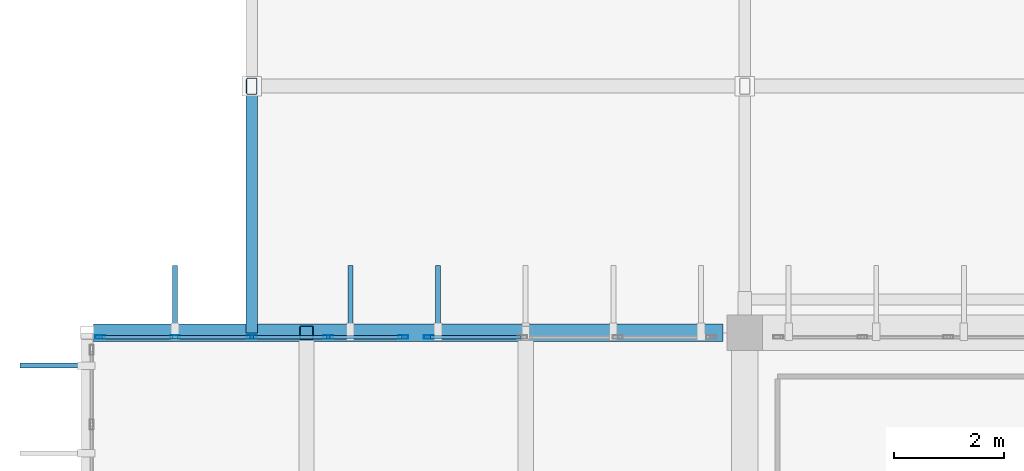
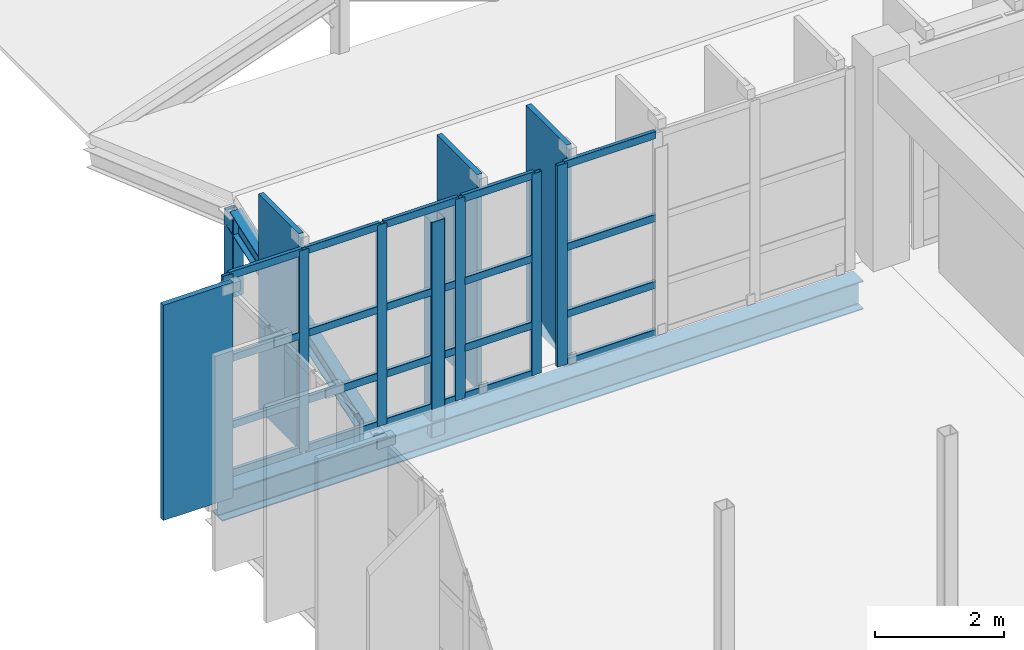
# One storey, part 35 of 80: 33 members, 1 beam, 2 elements without a shape of their own.
"""IFC4 building model written with IfcOpenShell, lengths in metres."""

from ifc_helpers import new_model, si_unit, direction, frame, origin, origin_2d, place, context, subcontext, project, spatial, rectangle, hollow_rectangle, i_section, extrude, material, material_profile, profile_set, type_object, element, aggregate, save


model = new_model("IFC4")

# Units and contexts
model_context = context("Model", 3, precision=1e-05, world=origin(), true_north=direction((0.0, 1.0)))
body_context = subcontext(model_context, "Body", "Model", "MODEL_VIEW")
ifc_project = project(units=[si_unit("LENGTHUNIT", "METRE"), si_unit("AREAUNIT", "SQUARE_METRE"), si_unit("VOLUMEUNIT", "CUBIC_METRE"), si_unit("PLANEANGLEUNIT", "RADIAN"), si_unit("MASSUNIT", "GRAM", prefix="KILO")], contexts=[model_context])

# Site, building, storey
site_placement = place(None, origin())
site = spatial("IfcSite", under=ifc_project, at=site_placement, CompositionType="ELEMENT")
building_placement = place(site_placement, origin())
building = spatial("IfcBuilding", under=site, at=building_placement, Name="Miravela Opera House", CompositionType="ELEMENT")
storey_placement = place(building_placement, frame((0.0, 0.0, 17.679931640625)))
storey = spatial("IfcBuildingStorey", under=building, at=storey_placement, Name="L04", CompositionType="ELEMENT", Elevation=17.679931640625)

# Curtain wall, members
ifc_material_1 = material(Name="Anodised architectural bronze aluminium 6063-T6", Category="aluminium")
curtain_wall_type = type_object("IfcCurtainWallType", Name="ARC-CW-02", PredefinedType="NOTDEFINED", material=ifc_material_1)
curtain_wall_1_placement = place(storey_placement, origin())
curtain_wall_1 = element("IfcCurtainWall", 1, at=curtain_wall_1_placement, inside=storey, type_object=curtain_wall_type, Name="Auditorium North Wrapper Glazing CW-L04-035", PredefinedType="NOTDEFINED")
ifc_material_profile_1 = material_profile(ifc_material_1, hollow_rectangle(XDim=0.06494140625, YDim=0.179931640625, WallThickness=0.00390625, InnerFilletRadius=0.001953125, OuterFilletRadius=0.00390625, at=origin_2d()), Name="CWM-65X180")
ifc_profile_set_1 = profile_set([ifc_material_profile_1])
member_type_1 = type_object("IfcMemberType", Name="ARC-CWM-180", PredefinedType="MULLION", material=ifc_profile_set_1)
member_1_placement = place(storey_placement, frame((15.232421875, 74.919921875, 0.0), z_axis=(0.0, 0.0, 1.0), x_axis=(0.0, 1.0, 0.0)))
member_1 = element("IfcMember", 2, at=member_1_placement, type_object=member_type_1, Name="CW-02 mullion 1", PredefinedType="MULLION", context=body_context, shape_type="SweptSolid", body=[
    extrude(hollow_rectangle(XDim=0.06494140625, YDim=0.179931640625, WallThickness=0.00390625, InnerFilletRadius=0.001953125, OuterFilletRadius=0.00390625, at=origin_2d()), origin(), (0.0, 0.0, 1.0), 3.820068359375),
])
member_2_placement = place(storey_placement, frame((16.60009765625, 74.919921875, 0.0), z_axis=(0.0, 0.0, 1.0), x_axis=(0.0, 1.0, 0.0)))
member_2 = element("IfcMember", 3, at=member_2_placement, type_object=member_type_1, Name="CW-02 mullion 2", PredefinedType="MULLION", context=body_context, shape_type="SweptSolid", body=[
    extrude(hollow_rectangle(XDim=0.06494140625, YDim=0.179931640625, WallThickness=0.00390625, InnerFilletRadius=0.001953125, OuterFilletRadius=0.00390625, at=origin_2d()), origin(), (0.0, 0.0, 1.0), 3.820068359375),
])
member_3_placement = place(storey_placement, frame((18.0, 74.919921875, 0.0), z_axis=(0.0, 0.0, 1.0), x_axis=(0.0, 1.0, 0.0)))
member_3 = element("IfcMember", 4, at=member_3_placement, type_object=member_type_1, Name="CW-02 mullion 3", PredefinedType="MULLION", context=body_context, shape_type="SweptSolid", body=[
    extrude(hollow_rectangle(XDim=0.06494140625, YDim=0.179931640625, WallThickness=0.00390625, InnerFilletRadius=0.001953125, OuterFilletRadius=0.00390625, at=origin_2d()), origin(), (0.0, 0.0, 1.0), 3.820068359375),
])
member_4_placement = place(storey_placement, frame((19.39990234375, 74.919921875, 0.0), z_axis=(0.0, 0.0, 1.0), x_axis=(0.0, 1.0, 0.0)))
member_4 = element("IfcMember", 5, at=member_4_placement, type_object=member_type_1, Name="CW-02 mullion 4", PredefinedType="MULLION", context=body_context, shape_type="SweptSolid", body=[
    extrude(hollow_rectangle(XDim=0.06494140625, YDim=0.179931640625, WallThickness=0.00390625, InnerFilletRadius=0.001953125, OuterFilletRadius=0.00390625, at=origin_2d()), origin(), (0.0, 0.0, 1.0), 3.820068359375),
])
member_5_placement = place(storey_placement, frame((20.767578125, 74.919921875, 0.0), z_axis=(0.0, 0.0, 1.0), x_axis=(0.0, 1.0, 0.0)))
member_5 = element("IfcMember", 6, at=member_5_placement, type_object=member_type_1, Name="CW-02 mullion 5", PredefinedType="MULLION", context=body_context, shape_type="SweptSolid", body=[
    extrude(hollow_rectangle(XDim=0.06494140625, YDim=0.179931640625, WallThickness=0.00390625, InnerFilletRadius=0.001953125, OuterFilletRadius=0.00390625, at=origin_2d()), origin(), (0.0, 0.0, 1.0), 3.820068359375),
])

# Curtain wall, member
curtain_wall_2_placement = place(storey_placement, origin())
curtain_wall_2 = element("IfcCurtainWall", 7, at=curtain_wall_2_placement, inside=storey, type_object=curtain_wall_type, Name="Auditorium North Wrapper Glazing CW-L04-037", PredefinedType="NOTDEFINED")
member_6_placement = place(storey_placement, frame((21.232421875, 74.919921875, 0.0), z_axis=(0.0, 0.0, 1.0), x_axis=(0.0, 1.0, 0.0)))
member_6 = element("IfcMember", 8, at=member_6_placement, type_object=member_type_1, Name="CW-02 mullion 1", PredefinedType="MULLION", context=body_context, shape_type="SweptSolid", body=[
    extrude(hollow_rectangle(XDim=0.06494140625, YDim=0.179931640625, WallThickness=0.00390625, InnerFilletRadius=0.001953125, OuterFilletRadius=0.00390625, at=origin_2d()), origin(), (0.0, 0.0, 1.0), 3.820068359375),
])

# Member
ifc_material_profile_2 = material_profile(ifc_material_1, hollow_rectangle(XDim=0.06494140625, YDim=0.139892578125, WallThickness=0.00390625, InnerFilletRadius=0.001953125, OuterFilletRadius=0.00390625, at=origin_2d()), Name="CWT-65X140")
ifc_profile_set_2 = profile_set([ifc_material_profile_2])
member_type_2 = type_object("IfcMemberType", Name="ARC-CWT-140", PredefinedType="USERDEFINED", material=ifc_profile_set_2)
member_7_placement = place(storey_placement, frame((15.264892578125, 74.919921875, 0.032470703125), z_axis=(1.0, 0.0, 0.0), x_axis=(0.0, 1.0, 0.0)))
member_7 = element("IfcMember", 9, at=member_7_placement, type_object=member_type_2, Name="CW-02 transom 1.1", ObjectType="TRANSOM", PredefinedType="USERDEFINED", context=body_context, shape_type="SweptSolid", body=[
    extrude(hollow_rectangle(XDim=0.06494140625, YDim=0.139892578125, WallThickness=0.00390625, InnerFilletRadius=0.001953125, OuterFilletRadius=0.00390625, at=origin_2d()), origin(), (0.0, 0.0, 1.0), 1.302490234375),
])

member_8_placement = place(storey_placement, frame((15.264892578125, 74.919921875, 0.949951171875), z_axis=(1.0, 0.0, 0.0), x_axis=(0.0, 1.0, 0.0)))
member_8 = element("IfcMember", 10, at=member_8_placement, type_object=member_type_2, Name="CW-02 transom 1.2", ObjectType="TRANSOM", PredefinedType="USERDEFINED", context=body_context, shape_type="SweptSolid", body=[
    extrude(hollow_rectangle(XDim=0.06494140625, YDim=0.139892578125, WallThickness=0.00390625, InnerFilletRadius=0.001953125, OuterFilletRadius=0.00390625, at=origin_2d()), origin(), (0.0, 0.0, 1.0), 1.302490234375),
])

member_9_placement = place(storey_placement, frame((15.264892578125, 74.919921875, 2.215576171875), z_axis=(1.0, 0.0, 0.0), x_axis=(0.0, 1.0, 0.0)))
member_9 = element("IfcMember", 11, at=member_9_placement, type_object=member_type_2, Name="CW-02 transom 1.3", ObjectType="TRANSOM", PredefinedType="USERDEFINED", context=body_context, shape_type="SweptSolid", body=[
    extrude(hollow_rectangle(XDim=0.06494140625, YDim=0.139892578125, WallThickness=0.00390625, InnerFilletRadius=0.001953125, OuterFilletRadius=0.00390625, at=origin_2d()), origin(), (0.0, 0.0, 1.0), 1.302490234375),
])

member_10_placement = place(storey_placement, frame((15.264892578125, 74.919921875, 3.78759765625), z_axis=(1.0, 0.0, 0.0), x_axis=(0.0, 1.0, 0.0)))
member_10 = element("IfcMember", 12, at=member_10_placement, type_object=member_type_2, Name="CW-02 transom 1.4", ObjectType="TRANSOM", PredefinedType="USERDEFINED", context=body_context, shape_type="SweptSolid", body=[
    extrude(hollow_rectangle(XDim=0.06494140625, YDim=0.139892578125, WallThickness=0.00390625, InnerFilletRadius=0.001953125, OuterFilletRadius=0.00390625, at=origin_2d()), origin(), (0.0, 0.0, 1.0), 1.302490234375),
])

member_11_placement = place(storey_placement, frame((16.632568359375, 74.919921875, 0.032470703125), z_axis=(1.0, 0.0, 0.0), x_axis=(0.0, 1.0, 0.0)))
member_11 = element("IfcMember", 13, at=member_11_placement, type_object=member_type_2, Name="CW-02 transom 2.1", ObjectType="TRANSOM", PredefinedType="USERDEFINED", context=body_context, shape_type="SweptSolid", body=[
    extrude(hollow_rectangle(XDim=0.06494140625, YDim=0.139892578125, WallThickness=0.00390625, InnerFilletRadius=0.001953125, OuterFilletRadius=0.00390625, at=origin_2d()), origin(), (0.0, 0.0, 1.0), 1.3349609375),
])

member_12_placement = place(storey_placement, frame((16.632568359375, 74.919921875, 0.949951171875), z_axis=(1.0, 0.0, 0.0), x_axis=(0.0, 1.0, 0.0)))
member_12 = element("IfcMember", 14, at=member_12_placement, type_object=member_type_2, Name="CW-02 transom 2.2", ObjectType="TRANSOM", PredefinedType="USERDEFINED", context=body_context, shape_type="SweptSolid", body=[
    extrude(hollow_rectangle(XDim=0.06494140625, YDim=0.139892578125, WallThickness=0.00390625, InnerFilletRadius=0.001953125, OuterFilletRadius=0.00390625, at=origin_2d()), origin(), (0.0, 0.0, 1.0), 1.3349609375),
])

member_13_placement = place(storey_placement, frame((16.632568359375, 74.919921875, 2.215576171875), z_axis=(1.0, 0.0, 0.0), x_axis=(0.0, 1.0, 0.0)))
member_13 = element("IfcMember", 15, at=member_13_placement, type_object=member_type_2, Name="CW-02 transom 2.3", ObjectType="TRANSOM", PredefinedType="USERDEFINED", context=body_context, shape_type="SweptSolid", body=[
    extrude(hollow_rectangle(XDim=0.06494140625, YDim=0.139892578125, WallThickness=0.00390625, InnerFilletRadius=0.001953125, OuterFilletRadius=0.00390625, at=origin_2d()), origin(), (0.0, 0.0, 1.0), 1.3349609375),
])

member_14_placement = place(storey_placement, frame((16.632568359375, 74.919921875, 3.78759765625), z_axis=(1.0, 0.0, 0.0), x_axis=(0.0, 1.0, 0.0)))
member_14 = element("IfcMember", 16, at=member_14_placement, type_object=member_type_2, Name="CW-02 transom 2.4", ObjectType="TRANSOM", PredefinedType="USERDEFINED", context=body_context, shape_type="SweptSolid", body=[
    extrude(hollow_rectangle(XDim=0.06494140625, YDim=0.139892578125, WallThickness=0.00390625, InnerFilletRadius=0.001953125, OuterFilletRadius=0.00390625, at=origin_2d()), origin(), (0.0, 0.0, 1.0), 1.3349609375),
])

member_15_placement = place(storey_placement, frame((18.032470703125, 74.919921875, 0.032470703125), z_axis=(1.0, 0.0, 0.0), x_axis=(0.0, 1.0, 0.0)))
member_15 = element("IfcMember", 17, at=member_15_placement, type_object=member_type_2, Name="CW-02 transom 3.1", ObjectType="TRANSOM", PredefinedType="USERDEFINED", context=body_context, shape_type="SweptSolid", body=[
    extrude(hollow_rectangle(XDim=0.06494140625, YDim=0.139892578125, WallThickness=0.00390625, InnerFilletRadius=0.001953125, OuterFilletRadius=0.00390625, at=origin_2d()), origin(), (0.0, 0.0, 1.0), 1.3349609375),
])

member_16_placement = place(storey_placement, frame((18.032470703125, 74.919921875, 0.949951171875), z_axis=(1.0, 0.0, 0.0), x_axis=(0.0, 1.0, 0.0)))
member_16 = element("IfcMember", 18, at=member_16_placement, type_object=member_type_2, Name="CW-02 transom 3.2", ObjectType="TRANSOM", PredefinedType="USERDEFINED", context=body_context, shape_type="SweptSolid", body=[
    extrude(hollow_rectangle(XDim=0.06494140625, YDim=0.139892578125, WallThickness=0.00390625, InnerFilletRadius=0.001953125, OuterFilletRadius=0.00390625, at=origin_2d()), origin(), (0.0, 0.0, 1.0), 1.3349609375),
])

member_17_placement = place(storey_placement, frame((18.032470703125, 74.919921875, 2.215576171875), z_axis=(1.0, 0.0, 0.0), x_axis=(0.0, 1.0, 0.0)))
member_17 = element("IfcMember", 19, at=member_17_placement, type_object=member_type_2, Name="CW-02 transom 3.3", ObjectType="TRANSOM", PredefinedType="USERDEFINED", context=body_context, shape_type="SweptSolid", body=[
    extrude(hollow_rectangle(XDim=0.06494140625, YDim=0.139892578125, WallThickness=0.00390625, InnerFilletRadius=0.001953125, OuterFilletRadius=0.00390625, at=origin_2d()), origin(), (0.0, 0.0, 1.0), 1.3349609375),
])

member_18_placement = place(storey_placement, frame((18.032470703125, 74.919921875, 3.78759765625), z_axis=(1.0, 0.0, 0.0), x_axis=(0.0, 1.0, 0.0)))
member_18 = element("IfcMember", 20, at=member_18_placement, type_object=member_type_2, Name="CW-02 transom 3.4", ObjectType="TRANSOM", PredefinedType="USERDEFINED", context=body_context, shape_type="SweptSolid", body=[
    extrude(hollow_rectangle(XDim=0.06494140625, YDim=0.139892578125, WallThickness=0.00390625, InnerFilletRadius=0.001953125, OuterFilletRadius=0.00390625, at=origin_2d()), origin(), (0.0, 0.0, 1.0), 1.3349609375),
])

member_19_placement = place(storey_placement, frame((19.4326171875, 74.919921875, 0.032470703125), z_axis=(1.0, 0.0, 0.0), x_axis=(0.0, 1.0, 0.0)))
member_19 = element("IfcMember", 21, at=member_19_placement, type_object=member_type_2, Name="CW-02 transom 4.1", ObjectType="TRANSOM", PredefinedType="USERDEFINED", context=body_context, shape_type="SweptSolid", body=[
    extrude(hollow_rectangle(XDim=0.06494140625, YDim=0.139892578125, WallThickness=0.00390625, InnerFilletRadius=0.001953125, OuterFilletRadius=0.00390625, at=origin_2d()), origin(), (0.0, 0.0, 1.0), 1.302490234375),
])

member_20_placement = place(storey_placement, frame((19.4326171875, 74.919921875, 0.949951171875), z_axis=(1.0, 0.0, 0.0), x_axis=(0.0, 1.0, 0.0)))
member_20 = element("IfcMember", 22, at=member_20_placement, type_object=member_type_2, Name="CW-02 transom 4.2", ObjectType="TRANSOM", PredefinedType="USERDEFINED", context=body_context, shape_type="SweptSolid", body=[
    extrude(hollow_rectangle(XDim=0.06494140625, YDim=0.139892578125, WallThickness=0.00390625, InnerFilletRadius=0.001953125, OuterFilletRadius=0.00390625, at=origin_2d()), origin(), (0.0, 0.0, 1.0), 1.302490234375),
])

member_21_placement = place(storey_placement, frame((19.4326171875, 74.919921875, 2.215576171875), z_axis=(1.0, 0.0, 0.0), x_axis=(0.0, 1.0, 0.0)))
member_21 = element("IfcMember", 23, at=member_21_placement, type_object=member_type_2, Name="CW-02 transom 4.3", ObjectType="TRANSOM", PredefinedType="USERDEFINED", context=body_context, shape_type="SweptSolid", body=[
    extrude(hollow_rectangle(XDim=0.06494140625, YDim=0.139892578125, WallThickness=0.00390625, InnerFilletRadius=0.001953125, OuterFilletRadius=0.00390625, at=origin_2d()), origin(), (0.0, 0.0, 1.0), 1.302490234375),
])

member_22_placement = place(storey_placement, frame((19.4326171875, 74.919921875, 3.78759765625), z_axis=(1.0, 0.0, 0.0), x_axis=(0.0, 1.0, 0.0)))
member_22 = element("IfcMember", 24, at=member_22_placement, type_object=member_type_2, Name="CW-02 transom 4.4", ObjectType="TRANSOM", PredefinedType="USERDEFINED", context=body_context, shape_type="SweptSolid", body=[
    extrude(hollow_rectangle(XDim=0.06494140625, YDim=0.139892578125, WallThickness=0.00390625, InnerFilletRadius=0.001953125, OuterFilletRadius=0.00390625, at=origin_2d()), origin(), (0.0, 0.0, 1.0), 1.302490234375),
])

aggregate(curtain_wall_1, [member_1, member_2, member_3, member_4, member_5, member_7, member_8, member_9, member_10, member_11, member_12, member_13, member_14, member_15, member_16, member_17, member_18, member_19, member_20, member_21, member_22])

member_23_placement = place(storey_placement, frame((21.264892578125, 74.919921875, 0.032470703125), z_axis=(1.0, 0.0, 0.0), x_axis=(0.0, 1.0, 0.0)))
member_23 = element("IfcMember", 25, at=member_23_placement, type_object=member_type_2, Name="CW-02 transom 1.1", ObjectType="TRANSOM", PredefinedType="USERDEFINED", context=body_context, shape_type="SweptSolid", body=[
    extrude(hollow_rectangle(XDim=0.06494140625, YDim=0.139892578125, WallThickness=0.00390625, InnerFilletRadius=0.001953125, OuterFilletRadius=0.00390625, at=origin_2d()), origin(), (0.0, 0.0, 1.0), 1.642578125),
])

member_24_placement = place(storey_placement, frame((21.264892578125, 74.919921875, 0.949951171875), z_axis=(1.0, 0.0, 0.0), x_axis=(0.0, 1.0, 0.0)))
member_24 = element("IfcMember", 26, at=member_24_placement, type_object=member_type_2, Name="CW-02 transom 1.2", ObjectType="TRANSOM", PredefinedType="USERDEFINED", context=body_context, shape_type="SweptSolid", body=[
    extrude(hollow_rectangle(XDim=0.06494140625, YDim=0.139892578125, WallThickness=0.00390625, InnerFilletRadius=0.001953125, OuterFilletRadius=0.00390625, at=origin_2d()), origin(), (0.0, 0.0, 1.0), 1.642578125),
])

member_25_placement = place(storey_placement, frame((21.264892578125, 74.919921875, 2.215576171875), z_axis=(1.0, 0.0, 0.0), x_axis=(0.0, 1.0, 0.0)))
member_25 = element("IfcMember", 27, at=member_25_placement, type_object=member_type_2, Name="CW-02 transom 1.3", ObjectType="TRANSOM", PredefinedType="USERDEFINED", context=body_context, shape_type="SweptSolid", body=[
    extrude(hollow_rectangle(XDim=0.06494140625, YDim=0.139892578125, WallThickness=0.00390625, InnerFilletRadius=0.001953125, OuterFilletRadius=0.00390625, at=origin_2d()), origin(), (0.0, 0.0, 1.0), 1.642578125),
])

member_26_placement = place(storey_placement, frame((21.264892578125, 74.919921875, 3.78759765625), z_axis=(1.0, 0.0, 0.0), x_axis=(0.0, 1.0, 0.0)))
member_26 = element("IfcMember", 28, at=member_26_placement, type_object=member_type_2, Name="CW-02 transom 1.4", ObjectType="TRANSOM", PredefinedType="USERDEFINED", context=body_context, shape_type="SweptSolid", body=[
    extrude(hollow_rectangle(XDim=0.06494140625, YDim=0.139892578125, WallThickness=0.00390625, InnerFilletRadius=0.001953125, OuterFilletRadius=0.00390625, at=origin_2d()), origin(), (0.0, 0.0, 1.0), 1.642578125),
])

aggregate(curtain_wall_2, [member_6, member_23, member_24, member_25, member_26])

# Members
ifc_material_profile_3 = material_profile(ifc_material_1, rectangle(XDim=0.090087890625, YDim=1.25, at=origin_2d()), Name="FIN-1250X90")
ifc_profile_set_3 = profile_set([ifc_material_profile_3])
member_type_3 = type_object("IfcMemberType", Name="ARC-FIN-1250", PredefinedType="USERDEFINED", material=ifc_profile_set_3)
for number, where, z_axis, x_axis, name in (
    (29, (14.39501953125, 74.39990234375, 0.0), (0.0, 0.0, 1.0), (0.0, 1.0, 0.0), "Auditorium Wrapper Bronze Solar Fin FIN-L04-WEST-0096"),
    (30, (16.60009765625, 75.60498046875, 0.0), (0.0, 0.0, 1.0), (1.0, 0.0, 0.0), "Auditorium Wrapper Bronze Solar Fin FIN-L04-NORTH-0097"),
    (31, (19.800048828125, 75.60498046875, 0.0), (0.0, 0.0, 1.0), (1.0, 0.0, 0.0), "Auditorium Wrapper Bronze Solar Fin FIN-L04-NORTH-0099"),
    (32, (21.39990234375, 75.60498046875, 0.0), (0.0, 0.0, 1.0), (1.0, 0.0, 0.0), "Auditorium Wrapper Bronze Solar Fin FIN-L04-NORTH-0101"),
):
    element("IfcMember", number, at=place(storey_placement, frame(where, z_axis=z_axis, x_axis=x_axis)), inside=storey, type_object=member_type_3, Name=name, ObjectType="FIN", PredefinedType="USERDEFINED", context=body_context, shape_type="SweptSolid", body=[
        extrude(rectangle(XDim=0.090087890625, YDim=1.25, at=origin_2d()), origin(), (0.0, 0.0, 1.0), 4.080078125),
    ])

# Beam
ifc_material_2 = material(Name="Structural steel ASTM A992 Gr. 50", Category="steel")
ifc_material_profile_4 = material_profile(ifc_material_2, i_section(OverallWidth=0.31201171875, OverallDepth=0.54296875, WebThickness=0.0126953125, FlangeThickness=0.020263671875, FilletRadius=0.01611328125, at=origin_2d()), Name="W530X150")
ifc_profile_set_4 = profile_set([ifc_material_profile_4])
beam_type = type_object("IfcBeamType", Name="STR-BM-W530X150", PredefinedType="BEAM", material=ifc_profile_set_4)
beam_placement = place(storey_placement, frame((15.110107421875, 75.0, -0.511474609375), z_axis=(1.0, 0.0, 0.0), x_axis=(0.0, 1.0, 0.0)))
element("IfcBeam", 33, at=beam_placement, inside=storey, type_object=beam_type, Name="Cantilever Chord L04 T5", PredefinedType="BEAM", context=body_context, shape_type="SweptSolid", body=[
    extrude(i_section(OverallWidth=0.31201171875, OverallDepth=0.54296875, WebThickness=0.0126953125, FlangeThickness=0.020263671875, FilletRadius=0.01611328125, at=origin_2d()), origin(), (0.0, 0.0, 1.0), 11.489990234375),
])

# Members
ifc_material_3 = material(Name="Hollow structural steel ASTM A500 Gr. C", Category="steel")
ifc_material_profile_5 = material_profile(ifc_material_3, hollow_rectangle(XDim=0.25, YDim=0.25, WallThickness=0.011962890625, InnerFilletRadius=0.011962890625, OuterFilletRadius=0.02392578125, at=origin_2d()), Name="HSS250X250X12")
ifc_profile_set_5 = profile_set([ifc_material_profile_5])
member_type_4 = type_object("IfcMemberType", Name="STR-MEM-CANT-POST2", PredefinedType="POST", material=ifc_profile_set_5)
member_27_placement = place(storey_placement, frame((19.0, 75.0, -0.5400390625), z_axis=(0.0, 0.0, 1.0), x_axis=(1.0, 0.0, 0.0)))
element("IfcMember", 34, at=member_27_placement, inside=storey, type_object=member_type_4, Name="Upper Wrapper Truss Post L04 X=19.0", PredefinedType="POST", context=body_context, shape_type="SweptSolid", body=[
    extrude(hollow_rectangle(XDim=0.25, YDim=0.25, WallThickness=0.011962890625, InnerFilletRadius=0.011962890625, OuterFilletRadius=0.02392578125, at=origin_2d()), origin(), (0.0, 0.0, 1.0), 4.080078125),
])
ifc_material_profile_6 = material_profile(ifc_material_3, hollow_rectangle(XDim=0.199951171875, YDim=0.300048828125, WallThickness=0.011962890625, InnerFilletRadius=0.011962890625, OuterFilletRadius=0.02392578125, at=origin_2d()), Name="HSS300X200X12")
ifc_profile_set_6 = profile_set([ifc_material_profile_6])
member_type_5 = type_object("IfcMemberType", Name="STR-MEM-POST-HSS300X200", PredefinedType="POST", material=ifc_profile_set_6)
member_28_placement = place(storey_placement, frame((18.0, 79.5, -0.25), z_axis=(0.0, 0.0, 1.0), x_axis=(1.0, 0.0, 0.0)))
element("IfcMember", 35, at=member_28_placement, inside=storey, type_object=member_type_5, Name="Roof Gable King Post ROOF-V3-WEST-S W", PredefinedType="POST", context=body_context, shape_type="SweptSolid", body=[
    extrude(hollow_rectangle(XDim=0.199951171875, YDim=0.300048828125, WallThickness=0.011962890625, InnerFilletRadius=0.011962890625, OuterFilletRadius=0.02392578125, at=origin_2d()), origin(), (0.0, 0.0, 1.0), 1.510009765625),
])
ifc_material_profile_7 = material_profile(ifc_material_2, i_section(OverallWidth=0.2041015625, OverallDepth=0.35009765625, WebThickness=0.008544921875, FlangeThickness=0.01513671875, FilletRadius=0.013916015625, at=origin_2d()), Name="W360X72")
ifc_profile_set_7 = profile_set([ifc_material_profile_7])
member_type_6 = type_object("IfcMemberType", Name="STR-MEM-RAFTER-1", PredefinedType="RAFTER", material=ifc_profile_set_7)
member_29_placement = place(storey_placement, frame((18.0, 75.050048828125, -0.39990234375), z_axis=(0.0, 0.943687918104, 0.3308369889), x_axis=(-1.0, 0.0, 0.0)))
element("IfcMember", 36, at=member_29_placement, inside=storey, type_object=member_type_6, Name="Pitched Roof Rafter ROOF-V3-WEST-S S0", PredefinedType="RAFTER", context=body_context, shape_type="SweptSolid", body=[
    extrude(i_section(OverallWidth=0.2041015625, OverallDepth=0.35009765625, WebThickness=0.008544921875, FlangeThickness=0.01513671875, FilletRadius=0.013916015625, at=origin_2d()), origin(), (0.0, 0.0, 1.0), 4.715576171875),
])

save(model, "model.ifc")
